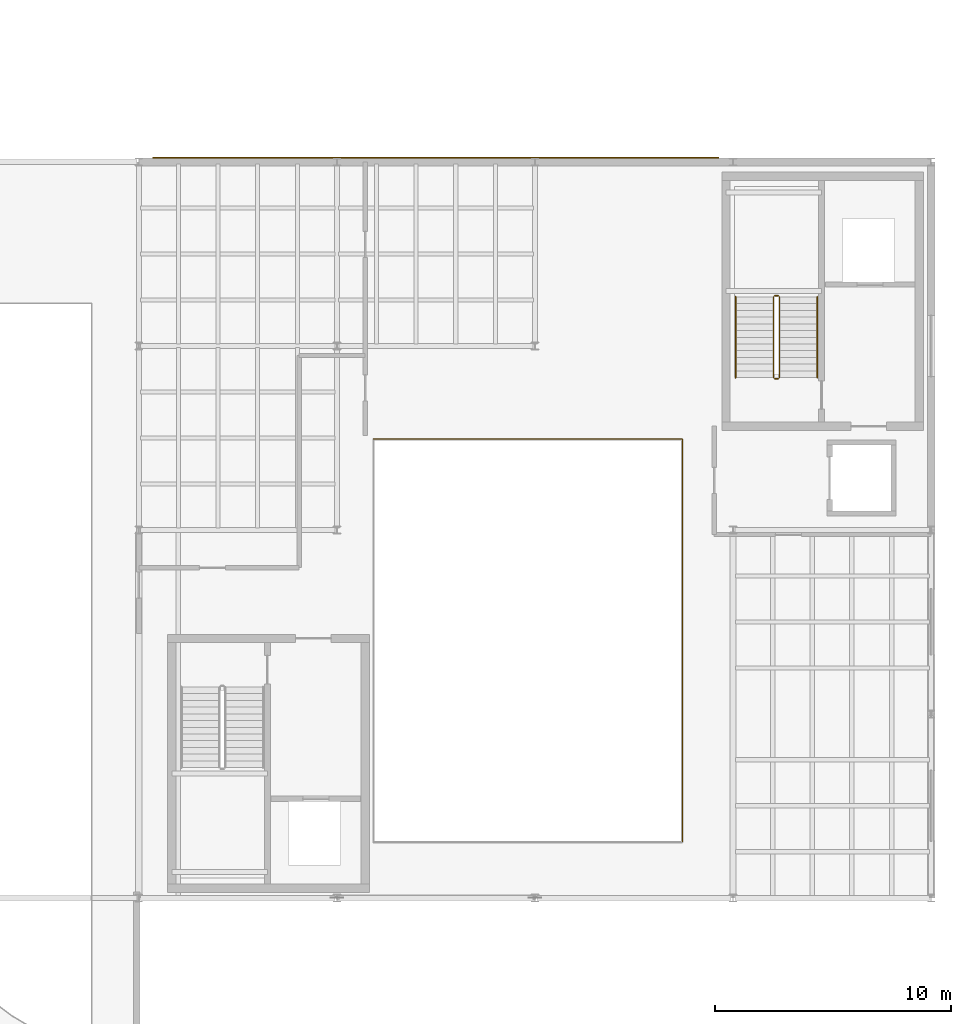
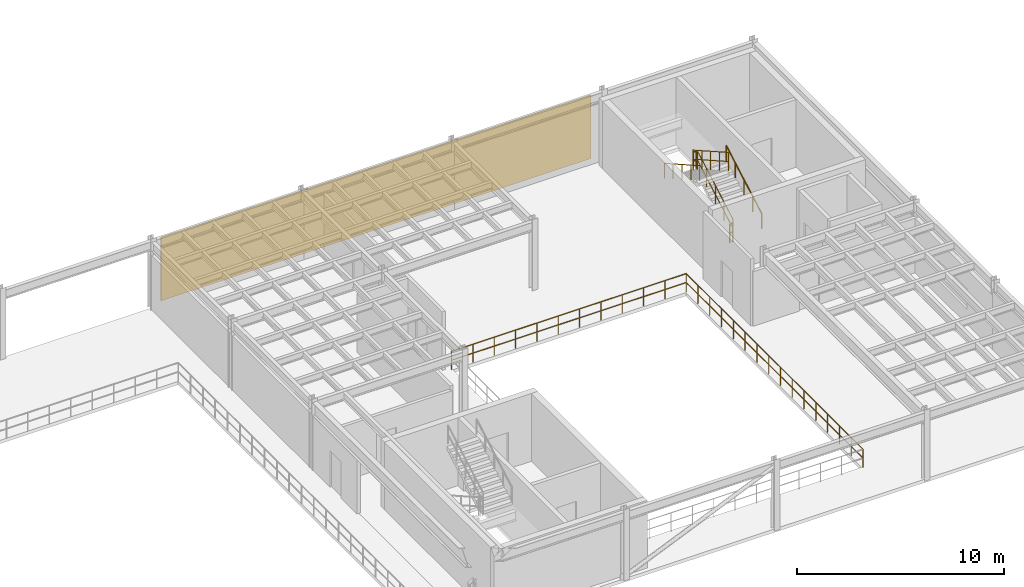
# One storey, part 31 of 32: 8 railings, 1 covering.
"""IFC4 building model written with IfcOpenShell, lengths in metres."""

from ifc_helpers import new_model, si_unit, direction, frame, origin, origin_2d, place, context, subcontext, project, spatial, polyline, circle, outline, extrude, material, layer, layer_set, type_object, element, save


model = new_model("IFC4")

# Units and contexts
model_context = context("Model", 3, precision=1e-05, world=origin(), true_north=direction((0.0, 1.0)))
body_context = subcontext(model_context, "Body", "Model", "MODEL_VIEW")
ifc_project = project(units=[si_unit("LENGTHUNIT", "METRE"), si_unit("AREAUNIT", "SQUARE_METRE"), si_unit("VOLUMEUNIT", "CUBIC_METRE"), si_unit("PLANEANGLEUNIT", "RADIAN"), si_unit("MASSUNIT", "GRAM", prefix="KILO")], contexts=[model_context])

# Site, building, storey
site_placement = place(None, origin())
site = spatial("IfcSite", under=ifc_project, at=site_placement, CompositionType="ELEMENT")
building_placement = place(site_placement, origin())
building = spatial("IfcBuilding", under=site, at=building_placement, Name="Selat Folded Stagehouse", CompositionType="ELEMENT")
storey_placement = place(building_placement, frame((0.0, 0.0, 19.199951171875)))
storey = spatial("IfcBuildingStorey", under=building, at=storey_placement, Name="L04", CompositionType="ELEMENT", Elevation=19.199951171875)

# Covering
ifc_material_1 = material(Name="Perforated bronze-anodised aluminium rainscreen", Category="aluminium")
ifc_layer_1 = layer(ifc_material_1, 0.044921875)
ifc_layer_set_1 = layer_set([ifc_layer_1], Name="Perforated bronze-anodised aluminium rainscreen")
covering_type = type_object("IfcCoveringType", Name="COV-CLAD-45B", PredefinedType="CLADDING", material=ifc_layer_set_1)
covering_placement = place(storey_placement, frame((0.0, 0.0, 0.10009765625)))
element("IfcCovering", 1, at=covering_placement, inside=storey, type_object=covering_type, Name="L04 fly-tower bronze rainscreen cladding 04", PredefinedType="CLADDING", context=body_context, shape_type="SweptSolid", body=[
    extrude(outline(polyline([(34.199951171875, 54.762451171875), (58.199951171875, 54.762451171875), (58.199951171875, 54.8076171875), (34.199951171875, 54.8076171875), (34.199951171875, 54.762451171875)])), origin(), (0.0, 0.0, 1.0), 3.75),
])

# Railings
ifc_material_2 = material(Name="Bronze-anodised steel balustrade", Category="steel")
ifc_layer_2 = layer(ifc_material_2, 0.06494140625)
ifc_layer_set_2 = layer_set([ifc_layer_2], Name="Bronze-anodised steel balustrade")
railing_type_1 = type_object("IfcRailingType", Name="RLG-BAL-1120", PredefinedType="BALUSTRADE", material=ifc_layer_set_2)
railing_1_placement = place(storey_placement, frame((60.77001953125, 45.4599609375, 0.16162109375)))
element("IfcRailing", 2, at=railing_1_placement, inside=storey, type_object=railing_type_1, Name="L04 ST-02 stair well guard 1", PredefinedType="BALUSTRADE", context=body_context, shape_type="SweptSolid", body=[
    extrude(circle(Radius=0.02392578125, at=origin_2d()), frame((0.0, 0.0, 1.09619140625), z_axis=(0.0, 0.869965350696, 0.493112855834), x_axis=(-1.0, 0.0, 0.0)), (0.0, 0.0, 1.0), 3.93115234375),
    extrude(circle(Radius=0.02392578125, at=origin_2d()), frame((0.0, 0.0, 0.56005859375), z_axis=(0.0, 0.869965350696, 0.493112855834), x_axis=(-1.0, 0.0, 0.0)), (0.0, 0.0, 1.0), 3.93115234375),
    extrude(circle(Radius=0.02099609375, at=origin_2d()), origin(), (0.0, 0.0, 1.0), 1.072021484375),
    extrude(circle(Radius=0.02099609375, at=origin_2d()), frame((0.0, 0.85498046875, 0.484619140625)), (0.0, 0.0, 1.0), 1.072021484375),
    extrude(circle(Radius=0.02099609375, at=origin_2d()), frame((0.0, 1.7099609375, 0.96923828125)), (0.0, 0.0, 1.0), 1.072021484375),
    extrude(circle(Radius=0.02099609375, at=origin_2d()), frame((0.0, 2.56494140625, 1.453857421875)), (0.0, 0.0, 1.0), 1.072021484375),
    extrude(circle(Radius=0.02099609375, at=origin_2d()), frame((0.0, 3.419921875, 1.9384765625)), (0.0, 0.0, 1.0), 1.072021484375),
])
railing_2_placement = place(storey_placement, frame((60.719970703125, 48.929931640625, 2.10009765625)))
element("IfcRailing", 3, at=railing_2_placement, inside=storey, type_object=railing_type_1, Name="L04 ST-02 stair well guard 2", PredefinedType="BALUSTRADE", context=body_context, shape_type="SweptSolid", body=[
    extrude(circle(Radius=0.02392578125, at=origin_2d()), frame((0.0, 0.0, 1.09619140625), z_axis=(-1.0, 0.0, 0.0), x_axis=(0.0, -1.0, 0.0)), (0.0, 0.0, 1.0), 0.159912109375),
    extrude(circle(Radius=0.02392578125, at=origin_2d()), frame((0.0, 0.0, 0.56005859375), z_axis=(-1.0, 0.0, 0.0), x_axis=(0.0, -1.0, 0.0)), (0.0, 0.0, 1.0), 0.159912109375),
    extrude(circle(Radius=0.02099609375, at=origin_2d()), origin(), (0.0, 0.0, 1.0), 1.072021484375),
    extrude(circle(Radius=0.02099609375, at=origin_2d()), frame((-0.159912109375, 0.0, 0.0)), (0.0, 0.0, 1.0), 1.072021484375),
])
railing_3_placement = place(storey_placement, frame((60.510009765625, 48.8798828125, 2.261474609375)))
element("IfcRailing", 4, at=railing_3_placement, inside=storey, type_object=railing_type_1, Name="L04 ST-02 stair well guard 3", PredefinedType="BALUSTRADE", context=body_context, shape_type="SweptSolid", body=[
    extrude(circle(Radius=0.02392578125, at=origin_2d()), frame((0.0, 0.0, 1.09619140625), z_axis=(0.0, -0.869965350696, 0.493112855834), x_axis=(1.0, 0.0, 0.0)), (0.0, 0.0, 1.0), 3.93115234375),
    extrude(circle(Radius=0.02392578125, at=origin_2d()), frame((0.0, 0.0, 0.56005859375), z_axis=(0.0, -0.869965350696, 0.493112855834), x_axis=(1.0, 0.0, 0.0)), (0.0, 0.0, 1.0), 3.93115234375),
    extrude(circle(Radius=0.02099609375, at=origin_2d()), origin(), (0.0, 0.0, 1.0), 1.072021484375),
    extrude(circle(Radius=0.02099609375, at=origin_2d()), frame((0.0, -0.85498046875, 0.484619140625)), (0.0, 0.0, 1.0), 1.072021484375),
    extrude(circle(Radius=0.02099609375, at=origin_2d()), frame((0.0, -1.7099609375, 0.96923828125)), (0.0, 0.0, 1.0), 1.072021484375),
    extrude(circle(Radius=0.02099609375, at=origin_2d()), frame((0.0, -2.56494140625, 1.453857421875)), (0.0, 0.0, 1.0), 1.072021484375),
    extrude(circle(Radius=0.02099609375, at=origin_2d()), frame((0.0, -3.419921875, 1.9384765625)), (0.0, 0.0, 1.0), 1.072021484375),
])
railing_4_placement = place(storey_placement, frame((60.719970703125, 45.409912109375, 0.0)))
element("IfcRailing", 5, at=railing_4_placement, inside=storey, type_object=railing_type_1, Name="L04 ST-02 stair well guard 4", PredefinedType="BALUSTRADE", context=body_context, shape_type="SweptSolid", body=[
    extrude(circle(Radius=0.02392578125, at=origin_2d()), frame((0.0, 0.0, 1.09619140625), z_axis=(-1.0, 0.0, 0.0), x_axis=(0.0, -1.0, 0.0)), (0.0, 0.0, 1.0), 0.159912109375),
    extrude(circle(Radius=0.02392578125, at=origin_2d()), frame((0.0, 0.0, 0.56005859375), z_axis=(-1.0, 0.0, 0.0), x_axis=(0.0, -1.0, 0.0)), (0.0, 0.0, 1.0), 0.159912109375),
    extrude(circle(Radius=0.02099609375, at=origin_2d()), origin(), (0.0, 0.0, 1.0), 1.072021484375),
    extrude(circle(Radius=0.02099609375, at=origin_2d()), frame((-0.159912109375, 0.0, 0.0)), (0.0, 0.0, 1.0), 1.072021484375),
])
ifc_material_3 = material(Name="Stainless steel and laminated glass", Category="steel")
ifc_layer_3 = layer(ifc_material_3, 0.06005859375)
ifc_layer_set_3 = layer_set([ifc_layer_3], Name="Stainless steel and laminated glass")
railing_type_2 = type_object("IfcRailingType", Name="RLG-GUARD-1100", PredefinedType="GUARDRAIL", material=ifc_layer_set_3)
railing_5_placement = place(storey_placement, frame((56.64990234375, 25.75, 0.0)))
element("IfcRailing", 6, at=railing_5_placement, inside=storey, type_object=railing_type_2, Name="L04 protective guard railing 067", PredefinedType="GUARDRAIL", context=body_context, shape_type="SweptSolid", body=[
    extrude(circle(Radius=0.02392578125, at=origin_2d()), frame((0.0, 0.0, 1.076171875), z_axis=(0.0, 1.0, 0.0), x_axis=(-1.0, 0.0, 0.0)), (0.0, 0.0, 1.0), 17.10009765625),
    extrude(circle(Radius=0.02392578125, at=origin_2d()), frame((0.0, 0.0, 0.550048828125), z_axis=(0.0, 1.0, 0.0), x_axis=(-1.0, 0.0, 0.0)), (0.0, 0.0, 1.0), 17.10009765625),
    extrude(circle(Radius=0.02099609375, at=origin_2d()), origin(), (0.0, 0.0, 1.0), 1.052001953125),
    extrude(circle(Radius=0.02099609375, at=origin_2d()), frame((0.0, 1.139892578125, 0.0)), (0.0, 0.0, 1.0), 1.052001953125),
    extrude(circle(Radius=0.02099609375, at=origin_2d()), frame((0.0, 2.280029296875, 0.0)), (0.0, 0.0, 1.0), 1.052001953125),
    extrude(circle(Radius=0.02099609375, at=origin_2d()), frame((0.0, 3.419921875, 0.0)), (0.0, 0.0, 1.0), 1.052001953125),
    extrude(circle(Radius=0.02099609375, at=origin_2d()), frame((0.0, 4.56005859375, 0.0)), (0.0, 0.0, 1.0), 1.052001953125),
    extrude(circle(Radius=0.02099609375, at=origin_2d()), frame((0.0, 5.699951171875, 0.0)), (0.0, 0.0, 1.0), 1.052001953125),
    extrude(circle(Radius=0.02099609375, at=origin_2d()), frame((0.0, 6.840087890625, 0.0)), (0.0, 0.0, 1.0), 1.052001953125),
    extrude(circle(Radius=0.02099609375, at=origin_2d()), frame((0.0, 7.97998046875, 0.0)), (0.0, 0.0, 1.0), 1.052001953125),
    extrude(circle(Radius=0.02099609375, at=origin_2d()), frame((0.0, 9.1201171875, 0.0)), (0.0, 0.0, 1.0), 1.052001953125),
    extrude(circle(Radius=0.02099609375, at=origin_2d()), frame((0.0, 10.260009765625, 0.0)), (0.0, 0.0, 1.0), 1.052001953125),
    extrude(circle(Radius=0.02099609375, at=origin_2d()), frame((0.0, 11.400146484375, 0.0)), (0.0, 0.0, 1.0), 1.052001953125),
    extrude(circle(Radius=0.02099609375, at=origin_2d()), frame((0.0, 12.5400390625, 0.0)), (0.0, 0.0, 1.0), 1.052001953125),
    extrude(circle(Radius=0.02099609375, at=origin_2d()), frame((0.0, 13.68017578125, 0.0)), (0.0, 0.0, 1.0), 1.052001953125),
    extrude(circle(Radius=0.02099609375, at=origin_2d()), frame((0.0, 14.820068359375, 0.0)), (0.0, 0.0, 1.0), 1.052001953125),
    extrude(circle(Radius=0.02099609375, at=origin_2d()), frame((0.0, 15.960205078125, 0.0)), (0.0, 0.0, 1.0), 1.052001953125),
    extrude(circle(Radius=0.02099609375, at=origin_2d()), frame((0.0, 17.10009765625, 0.0)), (0.0, 0.0, 1.0), 1.052001953125),
])
railing_6_placement = place(storey_placement, frame((56.64990234375, 42.85009765625, 0.0)))
element("IfcRailing", 7, at=railing_6_placement, inside=storey, type_object=railing_type_2, Name="L04 protective guard railing 068", PredefinedType="GUARDRAIL", context=body_context, shape_type="SweptSolid", body=[
    extrude(circle(Radius=0.02392578125, at=origin_2d()), frame((0.0, 0.0, 1.076171875), z_axis=(-1.0, 0.0, 0.0), x_axis=(0.0, -1.0, 0.0)), (0.0, 0.0, 1.0), 13.099853515625),
    extrude(circle(Radius=0.02392578125, at=origin_2d()), frame((0.0, 0.0, 0.550048828125), z_axis=(-1.0, 0.0, 0.0), x_axis=(0.0, -1.0, 0.0)), (0.0, 0.0, 1.0), 13.099853515625),
    extrude(circle(Radius=0.02099609375, at=origin_2d()), origin(), (0.0, 0.0, 1.0), 1.052001953125),
    extrude(circle(Radius=0.02099609375, at=origin_2d()), frame((-1.19091796875, 0.0, 0.0)), (0.0, 0.0, 1.0), 1.052001953125),
    extrude(circle(Radius=0.02099609375, at=origin_2d()), frame((-2.3818359375, 0.0, 0.0)), (0.0, 0.0, 1.0), 1.052001953125),
    extrude(circle(Radius=0.02099609375, at=origin_2d()), frame((-3.57275390625, 0.0, 0.0)), (0.0, 0.0, 1.0), 1.052001953125),
    extrude(circle(Radius=0.02099609375, at=origin_2d()), frame((-4.763671875, 0.0, 0.0)), (0.0, 0.0, 1.0), 1.052001953125),
    extrude(circle(Radius=0.02099609375, at=origin_2d()), frame((-5.95458984375, 0.0, 0.0)), (0.0, 0.0, 1.0), 1.052001953125),
    extrude(circle(Radius=0.02099609375, at=origin_2d()), frame((-7.145263671875, 0.0, 0.0)), (0.0, 0.0, 1.0), 1.052001953125),
    extrude(circle(Radius=0.02099609375, at=origin_2d()), frame((-8.336181640625, 0.0, 0.0)), (0.0, 0.0, 1.0), 1.052001953125),
    extrude(circle(Radius=0.02099609375, at=origin_2d()), frame((-9.527099609375, 0.0, 0.0)), (0.0, 0.0, 1.0), 1.052001953125),
    extrude(circle(Radius=0.02099609375, at=origin_2d()), frame((-10.718017578125, 0.0, 0.0)), (0.0, 0.0, 1.0), 1.052001953125),
    extrude(circle(Radius=0.02099609375, at=origin_2d()), frame((-11.908935546875, 0.0, 0.0)), (0.0, 0.0, 1.0), 1.052001953125),
    extrude(circle(Radius=0.02099609375, at=origin_2d()), frame((-13.099853515625, 0.0, 0.0)), (0.0, 0.0, 1.0), 1.052001953125),
])
ifc_material_4 = material(Name="Brushed stainless steel 1.4301", Category="steel")
ifc_layer_4 = layer(ifc_material_4, 0.048095703125)
ifc_layer_set_4 = layer_set([ifc_layer_4], Name="Brushed stainless steel 1.4301")
railing_type_3 = type_object("IfcRailingType", Name="RLG-HANDRAIL-900", PredefinedType="HANDRAIL", material=ifc_layer_set_4)
railing_7_placement = place(storey_placement, frame((62.3701171875, 45.4599609375, 0.16162109375)))
element("IfcRailing", 8, at=railing_7_placement, inside=storey, type_object=railing_type_3, Name="L04 ST-02 wall handrail 1", PredefinedType="HANDRAIL", context=body_context, shape_type="SweptSolid", body=[
    extrude(circle(Radius=0.02392578125, at=origin_2d()), frame((0.0, 0.0, 0.8759765625), z_axis=(0.0, 0.869965350696, 0.493112855834), x_axis=(-1.0, 0.0, 0.0)), (0.0, 0.0, 1.0), 3.93115234375),
    extrude(circle(Radius=0.02099609375, at=origin_2d()), origin(), (0.0, 0.0, 1.0), 0.851806640625),
    extrude(circle(Radius=0.02099609375, at=origin_2d()), frame((0.0, 0.85498046875, 0.484619140625)), (0.0, 0.0, 1.0), 0.851806640625),
    extrude(circle(Radius=0.02099609375, at=origin_2d()), frame((0.0, 1.7099609375, 0.96923828125)), (0.0, 0.0, 1.0), 0.851806640625),
    extrude(circle(Radius=0.02099609375, at=origin_2d()), frame((0.0, 2.56494140625, 1.453857421875)), (0.0, 0.0, 1.0), 0.851806640625),
    extrude(circle(Radius=0.02099609375, at=origin_2d()), frame((0.0, 3.419921875, 1.9384765625)), (0.0, 0.0, 1.0), 0.851806640625),
])
railing_8_placement = place(storey_placement, frame((58.909912109375, 48.8798828125, 2.261474609375)))
element("IfcRailing", 9, at=railing_8_placement, inside=storey, type_object=railing_type_3, Name="L04 ST-02 wall handrail 2", PredefinedType="HANDRAIL", context=body_context, shape_type="SweptSolid", body=[
    extrude(circle(Radius=0.02392578125, at=origin_2d()), frame((0.0, 0.0, 0.8759765625), z_axis=(0.0, -0.869965350696, 0.493112855834), x_axis=(1.0, 0.0, 0.0)), (0.0, 0.0, 1.0), 3.93115234375),
    extrude(circle(Radius=0.02099609375, at=origin_2d()), origin(), (0.0, 0.0, 1.0), 0.851806640625),
    extrude(circle(Radius=0.02099609375, at=origin_2d()), frame((0.0, -0.85498046875, 0.484619140625)), (0.0, 0.0, 1.0), 0.851806640625),
    extrude(circle(Radius=0.02099609375, at=origin_2d()), frame((0.0, -1.7099609375, 0.96923828125)), (0.0, 0.0, 1.0), 0.851806640625),
    extrude(circle(Radius=0.02099609375, at=origin_2d()), frame((0.0, -2.56494140625, 1.453857421875)), (0.0, 0.0, 1.0), 0.851806640625),
    extrude(circle(Radius=0.02099609375, at=origin_2d()), frame((0.0, -3.419921875, 1.9384765625)), (0.0, 0.0, 1.0), 0.851806640625),
])

save(model, "model.ifc")
